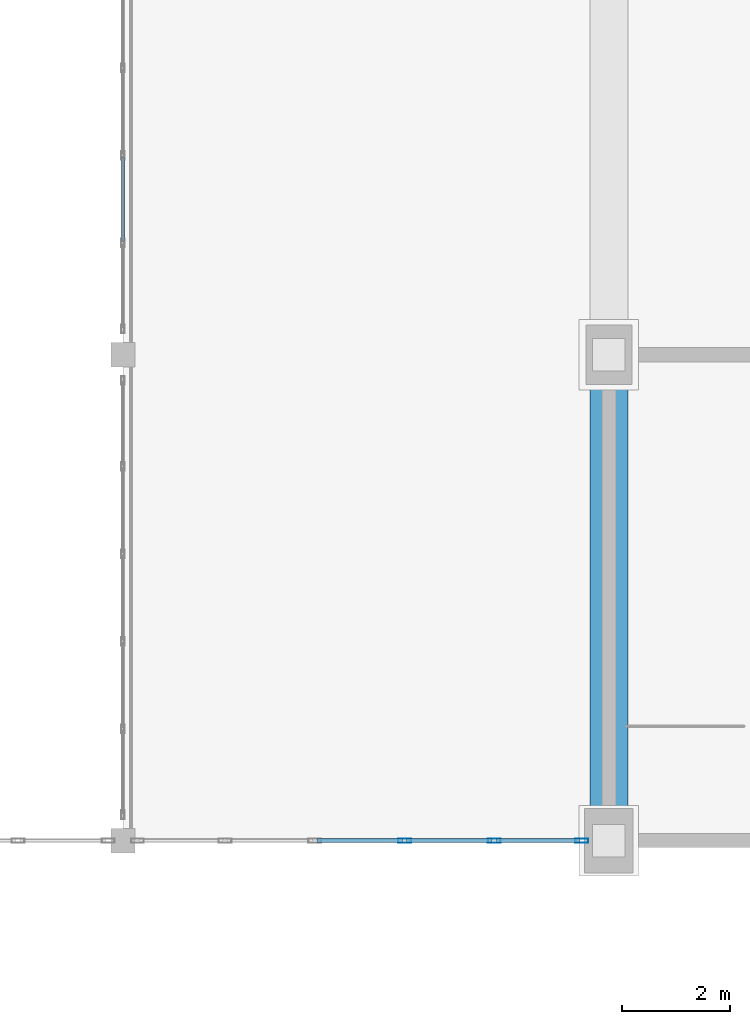
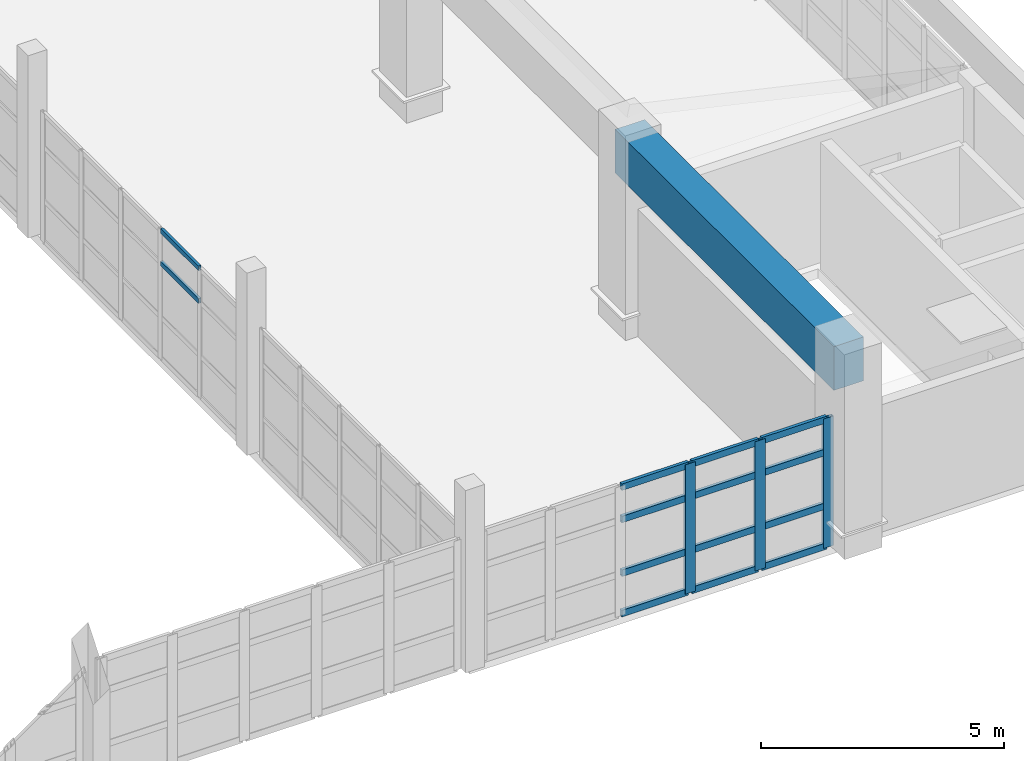
# One storey, part 12 of 80: 17 members, 1 beam, 2 elements without a shape of their own.
"""IFC4 building model written with IfcOpenShell, lengths in metres."""

from ifc_helpers import new_model, si_unit, direction, frame, origin, origin_2d, place, context, subcontext, project, spatial, rectangle, hollow_rectangle, extrude, material, layer, layer_set, material_profile, profile_set, type_object, element, aggregate, save


model = new_model("IFC4")

# Units and contexts
model_context = context("Model", 3, precision=1e-05, world=origin(), true_north=direction((0.0, 1.0)))
body_context = subcontext(model_context, "Body", "Model", "MODEL_VIEW")
ifc_project = project(units=[si_unit("LENGTHUNIT", "METRE"), si_unit("AREAUNIT", "SQUARE_METRE"), si_unit("VOLUMEUNIT", "CUBIC_METRE"), si_unit("PLANEANGLEUNIT", "RADIAN"), si_unit("MASSUNIT", "GRAM", prefix="KILO")], contexts=[model_context])

# Site, building, storey
site_placement = place(None, origin())
site = spatial("IfcSite", under=ifc_project, at=site_placement, CompositionType="ELEMENT")
building_placement = place(site_placement, origin())
building = spatial("IfcBuilding", under=site, at=building_placement, Name="Ornek Quay Market", CompositionType="ELEMENT")
storey_placement = place(building_placement, frame((0.0, 0.0, 8.39990234375)))
storey = spatial("IfcBuildingStorey", under=building, at=storey_placement, Name="L02", CompositionType="ELEMENT", Elevation=8.39990234375)

# Beam
ifc_material_1 = material(Name="Concrete C45/55", Category="concrete")
ifc_material_profile_1 = material_profile(ifc_material_1, rectangle(XDim=0.699951171875, YDim=1.10009765625, at=origin_2d()), Name="RC 700x1100", Category="concrete")
ifc_profile_set_1 = profile_set([ifc_material_profile_1], Name="Concrete C45/55")
beam_type = type_object("IfcBeamType", Name="BM-ARCH-TIE-700x1100", PredefinedType="BEAM", material=ifc_profile_set_1)
beam_placement = place(storey_placement, frame((117.0, 29.0, 4.400146484375), z_axis=(0.0, 1.0, 0.0), x_axis=(-1.0, 0.0, 0.0)))
element("IfcBeam", 1, at=beam_placement, inside=storey, type_object=beam_type, Name="Arch springing edge tie beam D-E", PredefinedType="BEAM", context=body_context, shape_type="SweptSolid", body=[
    extrude(rectangle(XDim=0.699951171875, YDim=1.10009765625, at=origin_2d()), origin(), (0.0, 0.0, 1.0), 9.0),
])

# Curtain wall, members
ifc_material_2 = material(Name="Anodised bronze aluminium and triple low-e glass", Category="aluminium")
ifc_layer_1 = layer(ifc_material_2, 0.239990234375, Name="Anodised bronze aluminium and triple low-e glass", Category="aluminium")
ifc_layer_set_1 = layer_set([ifc_layer_1], Name="Anodised bronze aluminium and triple low-e glass")
curtain_wall_type_1 = type_object("IfcCurtainWallType", Name="CW-GAB-MOD1800", PredefinedType="USERDEFINED", material=ifc_layer_set_1)
curtain_wall_1_placement = place(storey_placement, origin())
curtain_wall_1 = element("IfcCurtainWall", 2, at=curtain_wall_1_placement, inside=storey, type_object=curtain_wall_type_1, Name="Curtain wall CW-077", ObjectType="CURTAIN WALL", PredefinedType="USERDEFINED")
ifc_material_3 = material(Name="Anodised aluminium 6063-T6", Category="aluminium")
ifc_material_profile_2 = material_profile(ifc_material_3, hollow_rectangle(XDim=0.080078125, YDim=0.239990234375, WallThickness=0.006103515625, at=origin_2d()), Name="CW-MUL-80x240", Category="aluminium")
ifc_profile_set_2 = profile_set([ifc_material_profile_2], Name="Anodised aluminium 6063-T6")
member_type_1 = type_object("IfcMemberType", Name="CW-MUL-80x240", PredefinedType="MULLION", material=ifc_profile_set_2)
member_1_placement = place(storey_placement, frame((113.216064453125, 29.0, 0.0), z_axis=(0.0, 0.0, 1.0), x_axis=(0.0, 1.0, 0.0)))
member_1 = element("IfcMember", 3, at=member_1_placement, type_object=member_type_1, Name="CW-077 mullion 4", PredefinedType="MULLION", context=body_context, shape_type="SweptSolid", body=[
    extrude(hollow_rectangle(XDim=0.080078125, YDim=0.239990234375, WallThickness=0.006103515625, at=origin_2d()), origin(), (0.0, 0.0, 1.0), 3.25),
])
member_2_placement = place(storey_placement, frame((114.8779296875, 29.0, 0.0), z_axis=(0.0, 0.0, 1.0), x_axis=(0.0, 1.0, 0.0)))
member_2 = element("IfcMember", 4, at=member_2_placement, type_object=member_type_1, Name="CW-077 mullion 5", PredefinedType="MULLION", context=body_context, shape_type="SweptSolid", body=[
    extrude(hollow_rectangle(XDim=0.080078125, YDim=0.239990234375, WallThickness=0.006103515625, at=origin_2d()), origin(), (0.0, 0.0, 1.0), 3.25),
])
member_3_placement = place(storey_placement, frame((116.5, 29.0, 0.0), z_axis=(0.0, 0.0, 1.0), x_axis=(0.0, 1.0, 0.0)))
member_3 = element("IfcMember", 5, at=member_3_placement, type_object=member_type_1, Name="CW-077 mullion 6", PredefinedType="MULLION", context=body_context, shape_type="SweptSolid", body=[
    extrude(hollow_rectangle(XDim=0.080078125, YDim=0.239990234375, WallThickness=0.006103515625, at=origin_2d()), origin(), (0.0, 0.0, 1.0), 3.25),
])

ifc_layer_2 = layer(ifc_material_2, 0.139892578125, Name="Anodised bronze aluminium and triple low-e glass", Category="aluminium")
ifc_layer_set_2 = layer_set([ifc_layer_2], Name="Anodised bronze aluminium and triple low-e glass")
curtain_wall_type_2 = type_object("IfcCurtainWallType", Name="CW-GALLERY-INT", PredefinedType="USERDEFINED", material=ifc_layer_set_2)
curtain_wall_2_placement = place(storey_placement, origin())
curtain_wall_2 = element("IfcCurtainWall", 6, at=curtain_wall_2_placement, inside=storey, type_object=curtain_wall_type_2, Name="Curtain wall CW-116", ObjectType="CURTAIN WALL", PredefinedType="USERDEFINED")
ifc_material_profile_3 = material_profile(ifc_material_3, hollow_rectangle(XDim=0.06005859375, YDim=0.1201171875, WallThickness=0.00390625, at=origin_2d()), Name="CW-TRN-60x120", Category="aluminium")
ifc_profile_set_3 = profile_set([ifc_material_profile_3], Name="Anodised aluminium 6063-T6")
member_type_2 = type_object("IfcMemberType", Name="CW-TRN-60x120", PredefinedType="USERDEFINED", material=ifc_profile_set_3)
member_4_placement = place(storey_placement, frame((108.0, 40.10009765625, 2.400146484375), z_axis=(0.0, 1.0, 0.0), x_axis=(-1.0, 0.0, 0.0)))
member_4 = element("IfcMember", 7, at=member_4_placement, type_object=member_type_2, Name="CW-116 transom 2.3", ObjectType="TRANSOM", PredefinedType="USERDEFINED", context=body_context, shape_type="SweptSolid", body=[
    extrude(hollow_rectangle(XDim=0.06005859375, YDim=0.1201171875, WallThickness=0.00390625, at=origin_2d()), origin(), (0.0, 0.0, 1.0), 1.559814453125),
])
member_5_placement = place(storey_placement, frame((108.0, 40.10009765625, 3.22021484375), z_axis=(0.0, 1.0, 0.0), x_axis=(-1.0, 0.0, 0.0)))
member_5 = element("IfcMember", 8, at=member_5_placement, type_object=member_type_2, Name="CW-116 transom 2.4", ObjectType="TRANSOM", PredefinedType="USERDEFINED", context=body_context, shape_type="SweptSolid", body=[
    extrude(hollow_rectangle(XDim=0.06005859375, YDim=0.1201171875, WallThickness=0.00390625, at=origin_2d()), origin(), (0.0, 0.0, 1.0), 1.559814453125),
])
aggregate(curtain_wall_2, [member_4, member_5])

# Member
ifc_material_profile_4 = material_profile(ifc_material_3, hollow_rectangle(XDim=0.074951171875, YDim=0.1650390625, WallThickness=0.0048828125, at=origin_2d()), Name="CW-TRN-75x165", Category="aluminium")
ifc_profile_set_4 = profile_set([ifc_material_profile_4], Name="Anodised aluminium 6063-T6")
member_type_3 = type_object("IfcMemberType", Name="CW-TRN-75x165", PredefinedType="USERDEFINED", material=ifc_profile_set_4)
member_6_placement = place(storey_placement, frame((111.593994140625, 29.0, 0.03759765625), z_axis=(1.0, 0.0, 0.0), x_axis=(0.0, 1.0, 0.0)))
member_6 = element("IfcMember", 9, at=member_6_placement, type_object=member_type_3, Name="CW-077 transom 3.1", ObjectType="TRANSOM", PredefinedType="USERDEFINED", context=body_context, shape_type="SweptSolid", body=[
    extrude(hollow_rectangle(XDim=0.074951171875, YDim=0.1650390625, WallThickness=0.0048828125, at=origin_2d()), origin(), (0.0, 0.0, 1.0), 1.58203125),
])

member_7_placement = place(storey_placement, frame((111.593994140625, 29.0, 1.050048828125), z_axis=(1.0, 0.0, 0.0), x_axis=(0.0, 1.0, 0.0)))
member_7 = element("IfcMember", 10, at=member_7_placement, type_object=member_type_3, Name="CW-077 transom 3.2", ObjectType="TRANSOM", PredefinedType="USERDEFINED", context=body_context, shape_type="SweptSolid", body=[
    extrude(hollow_rectangle(XDim=0.074951171875, YDim=0.1650390625, WallThickness=0.0048828125, at=origin_2d()), origin(), (0.0, 0.0, 1.0), 1.58203125),
])

member_8_placement = place(storey_placement, frame((111.593994140625, 29.0, 2.400146484375), z_axis=(1.0, 0.0, 0.0), x_axis=(0.0, 1.0, 0.0)))
member_8 = element("IfcMember", 11, at=member_8_placement, type_object=member_type_3, Name="CW-077 transom 3.3", ObjectType="TRANSOM", PredefinedType="USERDEFINED", context=body_context, shape_type="SweptSolid", body=[
    extrude(hollow_rectangle(XDim=0.074951171875, YDim=0.1650390625, WallThickness=0.0048828125, at=origin_2d()), origin(), (0.0, 0.0, 1.0), 1.58203125),
])

member_9_placement = place(storey_placement, frame((111.593994140625, 29.0, 3.212646484375), z_axis=(1.0, 0.0, 0.0), x_axis=(0.0, 1.0, 0.0)))
member_9 = element("IfcMember", 12, at=member_9_placement, type_object=member_type_3, Name="CW-077 transom 3.4", ObjectType="TRANSOM", PredefinedType="USERDEFINED", context=body_context, shape_type="SweptSolid", body=[
    extrude(hollow_rectangle(XDim=0.074951171875, YDim=0.1650390625, WallThickness=0.0048828125, at=origin_2d()), origin(), (0.0, 0.0, 1.0), 1.58203125),
])

member_10_placement = place(storey_placement, frame((113.256103515625, 29.0, 0.03759765625), z_axis=(1.0, 0.0, 0.0), x_axis=(0.0, 1.0, 0.0)))
member_10 = element("IfcMember", 13, at=member_10_placement, type_object=member_type_3, Name="CW-077 transom 4.1", ObjectType="TRANSOM", PredefinedType="USERDEFINED", context=body_context, shape_type="SweptSolid", body=[
    extrude(hollow_rectangle(XDim=0.074951171875, YDim=0.1650390625, WallThickness=0.0048828125, at=origin_2d()), origin(), (0.0, 0.0, 1.0), 1.581787109375),
])

member_11_placement = place(storey_placement, frame((113.256103515625, 29.0, 1.050048828125), z_axis=(1.0, 0.0, 0.0), x_axis=(0.0, 1.0, 0.0)))
member_11 = element("IfcMember", 14, at=member_11_placement, type_object=member_type_3, Name="CW-077 transom 4.2", ObjectType="TRANSOM", PredefinedType="USERDEFINED", context=body_context, shape_type="SweptSolid", body=[
    extrude(hollow_rectangle(XDim=0.074951171875, YDim=0.1650390625, WallThickness=0.0048828125, at=origin_2d()), origin(), (0.0, 0.0, 1.0), 1.581787109375),
])

member_12_placement = place(storey_placement, frame((113.256103515625, 29.0, 2.400146484375), z_axis=(1.0, 0.0, 0.0), x_axis=(0.0, 1.0, 0.0)))
member_12 = element("IfcMember", 15, at=member_12_placement, type_object=member_type_3, Name="CW-077 transom 4.3", ObjectType="TRANSOM", PredefinedType="USERDEFINED", context=body_context, shape_type="SweptSolid", body=[
    extrude(hollow_rectangle(XDim=0.074951171875, YDim=0.1650390625, WallThickness=0.0048828125, at=origin_2d()), origin(), (0.0, 0.0, 1.0), 1.581787109375),
])

member_13_placement = place(storey_placement, frame((113.256103515625, 29.0, 3.212646484375), z_axis=(1.0, 0.0, 0.0), x_axis=(0.0, 1.0, 0.0)))
member_13 = element("IfcMember", 16, at=member_13_placement, type_object=member_type_3, Name="CW-077 transom 4.4", ObjectType="TRANSOM", PredefinedType="USERDEFINED", context=body_context, shape_type="SweptSolid", body=[
    extrude(hollow_rectangle(XDim=0.074951171875, YDim=0.1650390625, WallThickness=0.0048828125, at=origin_2d()), origin(), (0.0, 0.0, 1.0), 1.581787109375),
])

member_14_placement = place(storey_placement, frame((114.91796875, 29.0, 0.03759765625), z_axis=(1.0, 0.0, 0.0), x_axis=(0.0, 1.0, 0.0)))
member_14 = element("IfcMember", 17, at=member_14_placement, type_object=member_type_3, Name="CW-077 transom 5.1", ObjectType="TRANSOM", PredefinedType="USERDEFINED", context=body_context, shape_type="SweptSolid", body=[
    extrude(hollow_rectangle(XDim=0.074951171875, YDim=0.1650390625, WallThickness=0.0048828125, at=origin_2d()), origin(), (0.0, 0.0, 1.0), 1.5419921875),
])

member_15_placement = place(storey_placement, frame((114.91796875, 29.0, 1.050048828125), z_axis=(1.0, 0.0, 0.0), x_axis=(0.0, 1.0, 0.0)))
member_15 = element("IfcMember", 18, at=member_15_placement, type_object=member_type_3, Name="CW-077 transom 5.2", ObjectType="TRANSOM", PredefinedType="USERDEFINED", context=body_context, shape_type="SweptSolid", body=[
    extrude(hollow_rectangle(XDim=0.074951171875, YDim=0.1650390625, WallThickness=0.0048828125, at=origin_2d()), origin(), (0.0, 0.0, 1.0), 1.5419921875),
])

member_16_placement = place(storey_placement, frame((114.91796875, 29.0, 2.400146484375), z_axis=(1.0, 0.0, 0.0), x_axis=(0.0, 1.0, 0.0)))
member_16 = element("IfcMember", 19, at=member_16_placement, type_object=member_type_3, Name="CW-077 transom 5.3", ObjectType="TRANSOM", PredefinedType="USERDEFINED", context=body_context, shape_type="SweptSolid", body=[
    extrude(hollow_rectangle(XDim=0.074951171875, YDim=0.1650390625, WallThickness=0.0048828125, at=origin_2d()), origin(), (0.0, 0.0, 1.0), 1.5419921875),
])

member_17_placement = place(storey_placement, frame((114.91796875, 29.0, 3.212646484375), z_axis=(1.0, 0.0, 0.0), x_axis=(0.0, 1.0, 0.0)))
member_17 = element("IfcMember", 20, at=member_17_placement, type_object=member_type_3, Name="CW-077 transom 5.4", ObjectType="TRANSOM", PredefinedType="USERDEFINED", context=body_context, shape_type="SweptSolid", body=[
    extrude(hollow_rectangle(XDim=0.074951171875, YDim=0.1650390625, WallThickness=0.0048828125, at=origin_2d()), origin(), (0.0, 0.0, 1.0), 1.5419921875),
])

aggregate(curtain_wall_1, [member_1, member_2, member_3, member_6, member_7, member_8, member_9, member_10, member_11, member_12, member_13, member_14, member_15, member_16, member_17])

save(model, "model.ifc")
